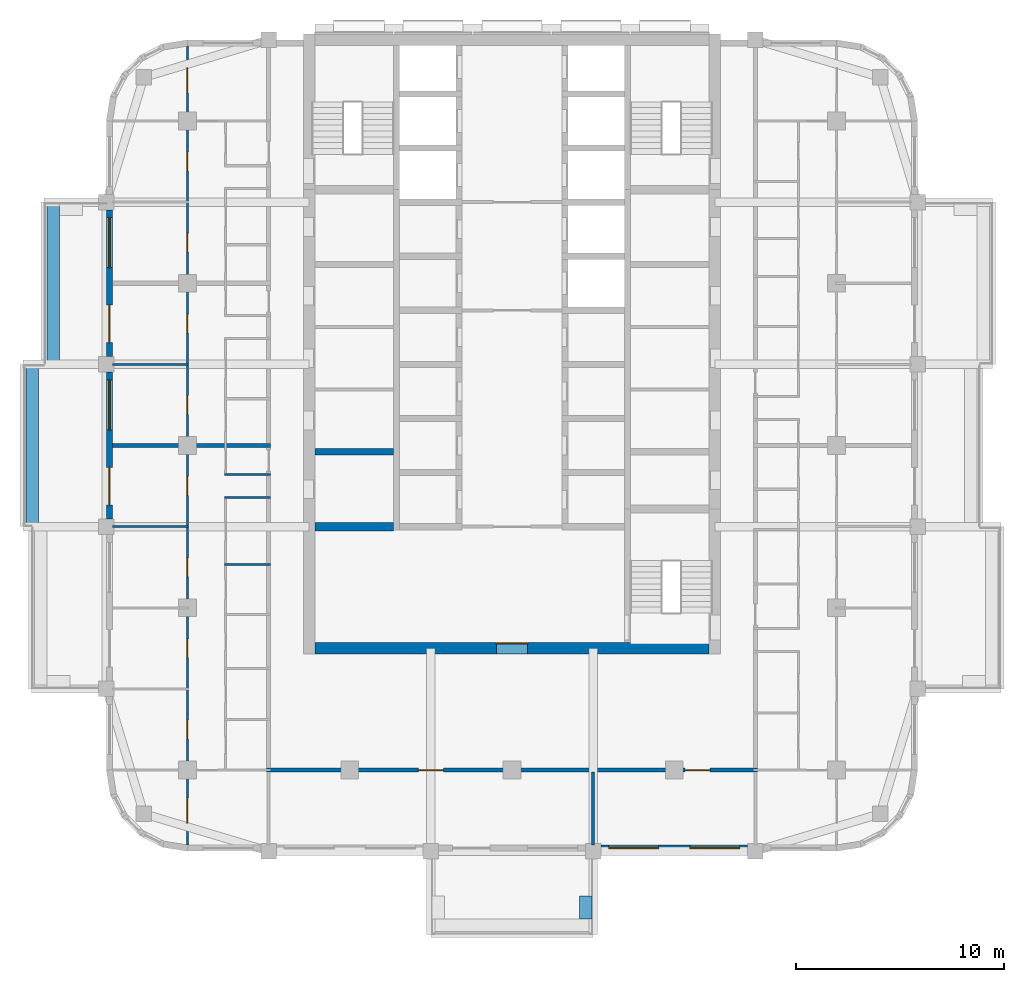
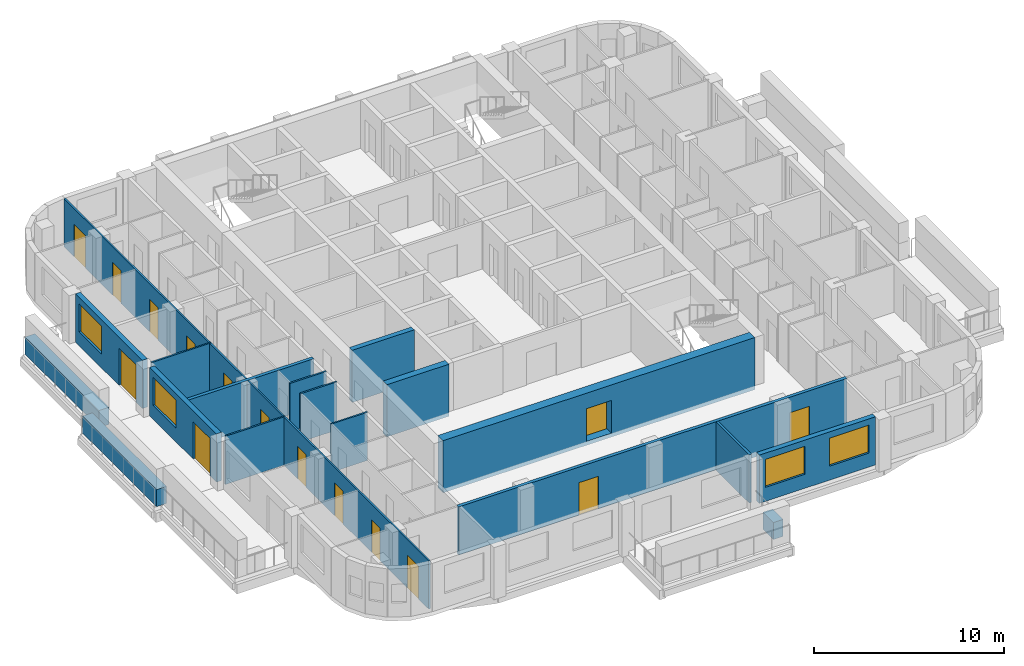
# One storey, part 3 of 13: 18 walls, 15 doors, 4 windows, 19 openings.
"""IFC4 building model written with IfcOpenShell, lengths in metres."""

from ifc_helpers import new_model, si_unit, direction, frame, frame_2d, origin, place, context, subcontext, project, spatial, rectangle, extrude, material, layer, layer_set, type_object, element, fill, save


model = new_model("IFC4")

# Units and contexts
model_context = context("Model", 3, precision=1e-05, world=origin(), true_north=direction((0.0, 1.0)))
body_context = subcontext(model_context, "Body", "Model", "MODEL_VIEW")
ifc_project = project(units=[si_unit("LENGTHUNIT", "METRE"), si_unit("AREAUNIT", "SQUARE_METRE"), si_unit("VOLUMEUNIT", "CUBIC_METRE"), si_unit("PLANEANGLEUNIT", "RADIAN"), si_unit("MASSUNIT", "GRAM", prefix="KILO")], contexts=[model_context])

# Site, building, storey
site_placement = place(None, origin())
site = spatial("IfcSite", under=ifc_project, at=site_placement, CompositionType="ELEMENT")
building_placement = place(site_placement, origin())
building = spatial("IfcBuilding", under=site, at=building_placement, Name="Ludao Terraces", CompositionType="ELEMENT")
storey_placement = place(building_placement, frame((0.0, 0.0, 169.0)))
storey = spatial("IfcBuildingStorey", under=building, at=storey_placement, Name="L46", CompositionType="ELEMENT", Elevation=169.0)

# Wall, opening, door
ifc_material_1 = material(Name="Concrete C60", Category="concrete")
ifc_layer_1 = layer(ifc_material_1, 0.550048828125)
ifc_layer_set_1 = layer_set([ifc_layer_1], Name="Core wall 550 C60")
wall_type_1 = type_object("IfcWallType", Name="Core wall 550 C60", PredefinedType="SOLIDWALL", material=ifc_layer_set_1)
wall_1_placement = place(storey_placement, frame((75.52490234375, 55.25, -0.25), z_axis=(0.0, 0.0, 1.0), x_axis=(1.0, 0.0, 0.0)))
wall_1 = element("IfcWall", 1, at=wall_1_placement, inside=storey, type_object=wall_type_1, Name="Core wall L46 outer-S", PredefinedType="SOLIDWALL", context=body_context, shape_type="SweptSolid", body=[
    extrude(rectangle(XDim=18.9501953125, YDim=0.550048828125, at=frame_2d((9.47509765625, 0.0))), origin(), (0.0, 0.0, 1.0), 3.35009765625),
])
opening_1_placement = place(wall_1_placement, frame((8.72509765625, 0.0, 0.25)))
opening_1 = element("IfcOpeningElement", 2, at=opening_1_placement, cuts=wall_1, Name="Opening R16-014", PredefinedType="OPENING", context=body_context, shape_type="SweptSolid", body=[
    extrude(rectangle(XDim=1.5, YDim=2.10009765625, at=frame_2d((0.75, 1.050048828125))), frame((0.0, 0.28515625, 0.0), z_axis=(0.0, -1.0, 0.0), x_axis=(1.0, 0.0, 0.0)), (0.0, 0.0, 1.0), 0.570068359375),
])
ifc_material_2 = material(Name="Steel Q235", Category="steel")
door_type_1 = type_object("IfcDoorType", Name="INT Lobby door 1500", OperationType="DOUBLE_DOOR_SINGLE_SWING", PredefinedType="DOOR", material=ifc_material_2)
door_1_placement = place(opening_1_placement, origin())
door_1 = element("IfcDoor", 3, at=door_1_placement, inside=storey, type_object=door_type_1, Name="DOOR 014", OperationType="DOUBLE_DOOR_SINGLE_SWING", OverallHeight=2.10009765625, OverallWidth=1.5, PredefinedType="DOOR", context=body_context, shape_type="SweptSolid", body=[
    extrude(rectangle(XDim=1.5, YDim=2.10009765625, at=frame_2d((0.75, 1.050048828125))), frame((0.0, 0.26025390625, 0.0), z_axis=(0.0, -1.0, 0.0), x_axis=(1.0, 0.0, 0.0)), (0.0, 0.0, 1.0), 0.050048828125),
])
fill(opening_1, door_1)

# Walls
ifc_material_3 = material(Name="Concrete C40", Category="concrete")
ifc_layer_2 = layer(ifc_material_3, 0.60009765625)
ifc_layer_set_2 = layer_set([ifc_layer_2], Name="ENV Planter trough 600")
wall_type_2 = type_object("IfcWallType", Name="ENV Planter trough 600", PredefinedType="USERDEFINED", material=ifc_layer_set_2)
wall_2_placement = place(storey_placement, frame((88.550048828125, 42.25, 0.0), z_axis=(0.0, 0.0, 1.0), x_axis=(0.0, 1.0, 0.0)))
element("IfcWall", 4, at=wall_2_placement, inside=storey, type_object=wall_type_2, Name="PL-L46-S1-SB", ObjectType="PLANTER", PredefinedType="USERDEFINED", context=body_context, shape_type="SweptSolid", body=[
    extrude(rectangle(XDim=1.10009765625, YDim=0.60009765625, at=frame_2d((0.550048828125, 0.0))), origin(), (0.0, 0.0, 1.0), 1.10009765625),
])
wall_3_placement = place(storey_placement, frame((61.949951171875, 61.10009765625, 0.0), z_axis=(0.0, 0.0, 1.0), x_axis=(0.0, 1.0, 0.0)))
element("IfcWall", 5, at=wall_3_placement, inside=storey, type_object=wall_type_2, Name="PL-L46-W2", ObjectType="PLANTER", PredefinedType="USERDEFINED", context=body_context, shape_type="SweptSolid", body=[
    extrude(rectangle(XDim=7.7998046875, YDim=0.60009765625, at=frame_2d((3.89990234375, 0.0))), origin(), (0.0, 0.0, 1.0), 1.10009765625),
])
wall_4_placement = place(storey_placement, frame((62.949951171875, 68.89990234375, 0.0), z_axis=(0.0, 0.0, 1.0), x_axis=(0.0, 1.0, 0.0)))
element("IfcWall", 6, at=wall_4_placement, inside=storey, type_object=wall_type_2, Name="PL-L46-W3", ObjectType="PLANTER", PredefinedType="USERDEFINED", context=body_context, shape_type="SweptSolid", body=[
    extrude(rectangle(XDim=7.800048828125, YDim=0.60009765625, at=frame_2d((3.89990234375, 0.0))), origin(), (0.0, 0.0, 1.0), 1.10009765625),
])

# Wall, openings, windows
ifc_material_4 = material(Name="Granite cladding", Category="masonry")
ifc_layer_3 = layer(ifc_material_4, 0.0400390625, Category="stone")
ifc_material_5 = material(Name="Mineral wool")
ifc_layer_4 = layer(ifc_material_5, 0.06005859375)
ifc_layer_5 = layer(ifc_material_3, 0.199951171875, Category="concrete")
ifc_layer_set_3 = layer_set([ifc_layer_3, ifc_layer_4, ifc_layer_5], Name="ENV Stone-clad wall 300")
wall_type_3 = type_object("IfcWallType", Name="ENV Stone-clad wall 300", PredefinedType="SOLIDWALL", material=ifc_layer_set_3)
wall_5_placement = place(storey_placement, frame((89.27490234375, 45.64990234375, 0.0), z_axis=(0.0, 0.0, 1.0), x_axis=(1.0, 0.0, 0.0)))
wall_5 = element("IfcWall", 7, at=wall_5_placement, inside=storey, type_object=wall_type_3, Name="EW-L46-S4", PredefinedType="SOLIDWALL", context=body_context, shape_type="SweptSolid", body=[
    extrude(rectangle(XDim=7.050048828125, YDim=0.300048828125, at=frame_2d((3.52490234375, 0.0))), origin(), (0.0, 0.0, 1.0), 3.10009765625),
])
opening_2_placement = place(wall_5_placement, frame((0.375, 0.0, 0.89990234375)))
opening_2 = element("IfcOpeningElement", 8, at=opening_2_placement, cuts=wall_5, Name="Opening W1", PredefinedType="OPENING", context=body_context, shape_type="SweptSolid", body=[
    extrude(rectangle(XDim=2.39990234375, YDim=1.800048828125, at=frame_2d((1.199951171875, 0.89990234375))), frame((0.0, 0.16015625, 0.0), z_axis=(0.0, -1.0, 0.0), x_axis=(1.0, 0.0, 0.0)), (0.0, 0.0, 1.0), 0.320068359375),
])
opening_3_placement = place(wall_5_placement, frame((4.27490234375, 0.0, 0.89990234375)))
opening_3 = element("IfcOpeningElement", 9, at=opening_3_placement, cuts=wall_5, Name="Opening W1", PredefinedType="OPENING", context=body_context, shape_type="SweptSolid", body=[
    extrude(rectangle(XDim=2.39990234375, YDim=1.800048828125, at=frame_2d((1.199951171875, 0.89990234375))), frame((0.0, 0.16015625, 0.0), z_axis=(0.0, -1.0, 0.0), x_axis=(1.0, 0.0, 0.0)), (0.0, 0.0, 1.0), 0.320068359375),
])
ifc_material_6 = material(Name="Clear glass in aluminium frame", Category="aluminium")
ifc_layer_6 = layer(ifc_material_6, 0.06005859375)
ifc_layer_set_4 = layer_set([ifc_layer_6], Name="ENV Window W1 2400x1800")
window_type = type_object("IfcWindowType", Name="ENV Window W1 2400x1800", PartitioningType="DOUBLE_PANEL_VERTICAL", PredefinedType="WINDOW", material=ifc_layer_set_4)
window_1_placement = place(opening_2_placement, origin())
window_1 = element("IfcWindow", 10, at=window_1_placement, inside=storey, type_object=window_type, Name="W-L46-S4-1", OverallHeight=1.800048828125, OverallWidth=2.39990234375, PartitioningType="DOUBLE_PANEL_VERTICAL", PredefinedType="WINDOW", context=body_context, shape_type="SweptSolid", body=[
    extrude(rectangle(XDim=2.39990234375, YDim=1.800048828125, at=frame_2d((1.199951171875, 0.89990234375))), frame((0.0, 0.030029296875, 0.0), z_axis=(0.0, -1.0, 0.0), x_axis=(1.0, 0.0, 0.0)), (0.0, 0.0, 1.0), 0.06005859375),
])
fill(opening_2, window_1)
window_2_placement = place(opening_3_placement, origin())
window_2 = element("IfcWindow", 11, at=window_2_placement, inside=storey, type_object=window_type, Name="W-L46-S4-2", OverallHeight=1.800048828125, OverallWidth=2.39990234375, PartitioningType="DOUBLE_PANEL_VERTICAL", PredefinedType="WINDOW", context=body_context, shape_type="SweptSolid", body=[
    extrude(rectangle(XDim=2.39990234375, YDim=1.800048828125, at=frame_2d((1.199951171875, 0.89990234375))), frame((0.0, 0.030029296875, 0.0), z_axis=(0.0, -1.0, 0.0), x_axis=(1.0, 0.0, 0.0)), (0.0, 0.0, 1.0), 0.06005859375),
])
fill(opening_3, window_2)

# Wall, openings, door, window
wall_6_placement = place(storey_placement, frame((65.64990234375, 61.47509765625, 0.0), z_axis=(0.0, 0.0, 1.0), x_axis=(0.0, 1.0, 0.0)))
wall_6 = element("IfcWall", 12, at=wall_6_placement, inside=storey, type_object=wall_type_3, Name="EW-L46-W3", PredefinedType="SOLIDWALL", context=body_context, shape_type="SweptSolid", body=[
    extrude(rectangle(XDim=7.0498046875, YDim=0.300048828125, at=frame_2d((3.52490234375, 0.0))), origin(), (0.0, 0.0, 1.0), 3.10009765625),
])
opening_4_placement = place(wall_6_placement, frame((0.675048828125, 0.0, 0.0)))
opening_4 = element("IfcOpeningElement", 13, at=opening_4_placement, cuts=wall_6, Name="Opening BD", PredefinedType="OPENING", context=body_context, shape_type="SweptSolid", body=[
    extrude(rectangle(XDim=1.800048828125, YDim=2.39990234375, at=frame_2d((0.89990234375, 1.199951171875))), frame((0.0, 0.16015625, 0.0), z_axis=(0.0, -1.0, 0.0), x_axis=(1.0, 0.0, 0.0)), (0.0, 0.0, 1.0), 0.320068359375),
])
opening_5_placement = place(wall_6_placement, frame((4.27490234375, 0.0, 0.89990234375)))
opening_5 = element("IfcOpeningElement", 14, at=opening_5_placement, cuts=wall_6, Name="Opening W1", PredefinedType="OPENING", context=body_context, shape_type="SweptSolid", body=[
    extrude(rectangle(XDim=2.39990234375, YDim=1.800048828125, at=frame_2d((1.199951171875, 0.89990234375))), frame((0.0, 0.16015625, 0.0), z_axis=(0.0, -1.0, 0.0), x_axis=(1.0, 0.0, 0.0)), (0.0, 0.0, 1.0), 0.320068359375),
])
ifc_material_7 = material(Name="Aluminium glazed door", Category="aluminium")
ifc_layer_7 = layer(ifc_material_7, 0.06005859375)
ifc_layer_set_5 = layer_set([ifc_layer_7], Name="ENV Balcony door BD 1800x2400")
door_type_2 = type_object("IfcDoorType", Name="ENV Balcony door BD 1800x2400", OperationType="DOUBLE_DOOR_SINGLE_SWING", PredefinedType="DOOR", material=ifc_layer_set_5)
door_2_placement = place(opening_4_placement, origin())
door_2 = element("IfcDoor", 15, at=door_2_placement, inside=storey, type_object=door_type_2, Name="BD-L46-W3-1", OperationType="DOUBLE_DOOR_SINGLE_SWING", OverallHeight=2.39990234375, OverallWidth=1.800048828125, PredefinedType="DOOR", context=body_context, shape_type="SweptSolid", body=[
    extrude(rectangle(XDim=1.800048828125, YDim=2.39990234375, at=frame_2d((0.89990234375, 1.199951171875))), frame((0.0, 0.02490234375, 0.0), z_axis=(0.0, -1.0, 0.0), x_axis=(1.0, 0.0, 0.0)), (0.0, 0.0, 1.0), 0.050048828125),
])
fill(opening_4, door_2)
window_3_placement = place(opening_5_placement, origin())
window_3 = element("IfcWindow", 16, at=window_3_placement, inside=storey, type_object=window_type, Name="W-L46-W3-2", OverallHeight=1.800048828125, OverallWidth=2.39990234375, PartitioningType="DOUBLE_PANEL_VERTICAL", PredefinedType="WINDOW", context=body_context, shape_type="SweptSolid", body=[
    extrude(rectangle(XDim=2.39990234375, YDim=1.800048828125, at=frame_2d((1.199951171875, 0.89990234375))), frame((0.0, 0.030029296875, 0.0), z_axis=(0.0, -1.0, 0.0), x_axis=(1.0, 0.0, 0.0)), (0.0, 0.0, 1.0), 0.06005859375),
])
fill(opening_5, window_3)

wall_7_placement = place(storey_placement, frame((65.64990234375, 69.27490234375, 0.0), z_axis=(0.0, 0.0, 1.0), x_axis=(0.0, 1.0, 0.0)))
wall_7 = element("IfcWall", 17, at=wall_7_placement, inside=storey, type_object=wall_type_3, Name="EW-L46-W4", PredefinedType="SOLIDWALL", context=body_context, shape_type="SweptSolid", body=[
    extrude(rectangle(XDim=7.050048828125, YDim=0.300048828125, at=frame_2d((3.52490234375, 0.0))), origin(), (0.0, 0.0, 1.0), 3.10009765625),
])
opening_6_placement = place(wall_7_placement, frame((0.675048828125, 0.0, 0.0)))
opening_6 = element("IfcOpeningElement", 18, at=opening_6_placement, cuts=wall_7, Name="Opening BD", PredefinedType="OPENING", context=body_context, shape_type="SweptSolid", body=[
    extrude(rectangle(XDim=1.800048828125, YDim=2.39990234375, at=frame_2d((0.89990234375, 1.199951171875))), frame((0.0, 0.16015625, 0.0), z_axis=(0.0, -1.0, 0.0), x_axis=(1.0, 0.0, 0.0)), (0.0, 0.0, 1.0), 0.320068359375),
])
opening_7_placement = place(wall_7_placement, frame((4.27490234375, 0.0, 0.89990234375)))
opening_7 = element("IfcOpeningElement", 19, at=opening_7_placement, cuts=wall_7, Name="Opening W1", PredefinedType="OPENING", context=body_context, shape_type="SweptSolid", body=[
    extrude(rectangle(XDim=2.39990234375, YDim=1.800048828125, at=frame_2d((1.199951171875, 0.89990234375))), frame((0.0, 0.16015625, 0.0), z_axis=(0.0, -1.0, 0.0), x_axis=(1.0, 0.0, 0.0)), (0.0, 0.0, 1.0), 0.320068359375),
])
door_3_placement = place(opening_6_placement, origin())
door_3 = element("IfcDoor", 20, at=door_3_placement, inside=storey, type_object=door_type_2, Name="BD-L46-W4-1", OperationType="DOUBLE_DOOR_SINGLE_SWING", OverallHeight=2.39990234375, OverallWidth=1.800048828125, PredefinedType="DOOR", context=body_context, shape_type="SweptSolid", body=[
    extrude(rectangle(XDim=1.800048828125, YDim=2.39990234375, at=frame_2d((0.89990234375, 1.199951171875))), frame((0.0, 0.02490234375, 0.0), z_axis=(0.0, -1.0, 0.0), x_axis=(1.0, 0.0, 0.0)), (0.0, 0.0, 1.0), 0.050048828125),
])
fill(opening_6, door_3)
window_4_placement = place(opening_7_placement, origin())
window_4 = element("IfcWindow", 21, at=window_4_placement, inside=storey, type_object=window_type, Name="W-L46-W4-2", OverallHeight=1.800048828125, OverallWidth=2.39990234375, PartitioningType="DOUBLE_PANEL_VERTICAL", PredefinedType="WINDOW", context=body_context, shape_type="SweptSolid", body=[
    extrude(rectangle(XDim=2.39990234375, YDim=1.800048828125, at=frame_2d((1.199951171875, 0.89990234375))), frame((0.0, 0.030029296875, 0.0), z_axis=(0.0, -1.0, 0.0), x_axis=(1.0, 0.0, 0.0)), (0.0, 0.0, 1.0), 0.06005859375),
])
fill(opening_7, window_4)

# Wall, openings, doors
ifc_material_8 = material(Name="Autoclaved aerated concrete block B06 A3.5", Category="concrete")
ifc_layer_8 = layer(ifc_material_8, 0.199951171875)
ifc_layer_set_6 = layer_set([ifc_layer_8], Name="INT Entrance wall 200")
wall_type_4 = type_object("IfcWallType", Name="INT Entrance wall 200", PredefinedType="PARTITIONING", material=ifc_layer_set_6)
wall_8_placement = place(storey_placement, frame((73.2001953125, 49.39990234375, 0.0), z_axis=(0.0, 0.0, 1.0), x_axis=(1.0, 0.0, 0.0)))
wall_8 = element("IfcWall", 22, at=wall_8_placement, inside=storey, type_object=wall_type_4, Name="PW-L46-PW001", PredefinedType="PARTITIONING", context=body_context, shape_type="SweptSolid", body=[
    extrude(rectangle(XDim=23.599853515625, YDim=0.199951171875, at=frame_2d((11.7998046875, 0.0))), origin(), (0.0, 0.0, 1.0), 3.10009765625),
])
opening_8_placement = place(wall_8_placement, frame((7.2998046875, 0.0, 0.0)))
opening_8 = element("IfcOpeningElement", 23, at=opening_8_placement, cuts=wall_8, Name="Opening R16-004", PredefinedType="OPENING", context=body_context, shape_type="SweptSolid", body=[
    extrude(rectangle(XDim=1.199951171875, YDim=2.10009765625, at=frame_2d((0.60009765625, 1.050048828125))), frame((0.0, 0.10986328125, 0.0), z_axis=(0.0, -1.0, 0.0), x_axis=(1.0, 0.0, 0.0)), (0.0, 0.0, 1.0), 0.219970703125),
])
opening_9_placement = place(wall_8_placement, frame((20.125, 0.0, 0.0)))
opening_9 = element("IfcOpeningElement", 24, at=opening_9_placement, cuts=wall_8, Name="Opening R16-005", PredefinedType="OPENING", context=body_context, shape_type="SweptSolid", body=[
    extrude(rectangle(XDim=1.199951171875, YDim=2.10009765625, at=frame_2d((0.60009765625, 1.050048828125))), frame((0.0, 0.10986328125, 0.0), z_axis=(0.0, -1.0, 0.0), x_axis=(1.0, 0.0, 0.0)), (0.0, 0.0, 1.0), 0.219970703125),
])
ifc_material_9 = material(Name="Timber door leaf", Category="wood")
door_type_3 = type_object("IfcDoorType", Name="INT Double door 1200", OperationType="DOUBLE_DOOR_SINGLE_SWING", PredefinedType="DOOR", material=ifc_material_9)
door_4_placement = place(opening_8_placement, origin())
door_4 = element("IfcDoor", 25, at=door_4_placement, inside=storey, type_object=door_type_3, Name="DOOR 004", OperationType="DOUBLE_DOOR_SINGLE_SWING", OverallHeight=2.10009765625, OverallWidth=1.199951171875, PredefinedType="DOOR", context=body_context, shape_type="SweptSolid", body=[
    extrude(rectangle(XDim=1.199951171875, YDim=2.10009765625, at=frame_2d((0.60009765625, 1.050048828125))), frame((0.0, 0.02490234375, 0.0), z_axis=(0.0, -1.0, 0.0), x_axis=(1.0, 0.0, 0.0)), (0.0, 0.0, 1.0), 0.050048828125),
])
fill(opening_8, door_4)
door_5_placement = place(opening_9_placement, origin())
door_5 = element("IfcDoor", 26, at=door_5_placement, inside=storey, type_object=door_type_3, Name="DOOR 005", OperationType="DOUBLE_DOOR_SINGLE_SWING", OverallHeight=2.10009765625, OverallWidth=1.199951171875, PredefinedType="DOOR", context=body_context, shape_type="SweptSolid", body=[
    extrude(rectangle(XDim=1.199951171875, YDim=2.10009765625, at=frame_2d((0.60009765625, 1.050048828125))), frame((0.0, 0.02490234375, 0.0), z_axis=(0.0, -1.0, 0.0), x_axis=(1.0, 0.0, 0.0)), (0.0, 0.0, 1.0), 0.050048828125),
])
fill(opening_9, door_5)

# Walls
ifc_material_10 = material(Name="Gypsum plasterboard", Category="gypsum")
ifc_layer_9 = layer(ifc_material_10, 0.012451171875, Category="gypsum")
ifc_layer_10 = layer(ifc_material_5, 0.06005859375, Name="insulation")
ifc_layer_11 = layer(ifc_material_2, 0.014892578125, Name="stud")
ifc_layer_12 = layer(ifc_material_10, 0.012451171875, Category="gypsum")
ifc_layer_set_7 = layer_set([ifc_layer_9, ifc_layer_10, ifc_layer_11, ifc_layer_12], Name="INT Partition 100")
wall_type_5 = type_object("IfcWallType", Name="INT Partition 100", PredefinedType="PARTITIONING", material=ifc_layer_set_7)
wall_9_placement = place(storey_placement, frame((71.18017578125, 59.280029296875, 0.0), z_axis=(0.0, 0.0, 1.0), x_axis=(1.0, 0.0, 0.0)))
element("IfcWall", 27, at=wall_9_placement, inside=storey, type_object=wall_type_5, Name="PW-L46-PW013", PredefinedType="PARTITIONING", context=body_context, shape_type="SweptSolid", body=[
    extrude(rectangle(XDim=2.219970703125, YDim=0.10009765625, at=frame_2d((1.10986328125, 0.0))), origin(), (0.0, 0.0, 1.0), 3.10009765625),
])
wall_10_placement = place(storey_placement, frame((65.800048828125, 61.10009765625, 0.0), z_axis=(0.0, 0.0, 1.0), x_axis=(1.0, 0.0, 0.0)))
element("IfcWall", 28, at=wall_10_placement, inside=storey, type_object=wall_type_5, Name="PW-L46-PW015", PredefinedType="PARTITIONING", context=body_context, shape_type="SweptSolid", body=[
    extrude(rectangle(XDim=3.650146484375, YDim=0.10009765625, at=frame_2d((1.8251953125, 0.0))), origin(), (0.0, 0.0, 1.0), 3.10009765625),
])
for number, where, z_axis, x_axis, name in (
    (29, (71.18017578125, 62.5, 0.0), (0.0, 0.0, 1.0), (1.0, 0.0, 0.0), "PW-L46-PW018"),
    (30, (71.18017578125, 63.60009765625, 0.0), (0.0, 0.0, 1.0), (1.0, 0.0, 0.0), "PW-L46-PW020"),
):
    element("IfcWall", number, at=place(storey_placement, frame(where, z_axis=z_axis, x_axis=x_axis)), inside=storey, type_object=wall_type_5, Name=name, PredefinedType="PARTITIONING", context=body_context, shape_type="SweptSolid", body=[
        extrude(rectangle(XDim=2.219970703125, YDim=0.10009765625, at=frame_2d((1.10986328125, 0.0))), origin(), (0.0, 0.0, 1.0), 3.10009765625),
    ])
wall_11_placement = place(storey_placement, frame((65.800048828125, 68.89990234375, 0.0), z_axis=(0.0, 0.0, 1.0), x_axis=(1.0, 0.0, 0.0)))
element("IfcWall", 31, at=wall_11_placement, inside=storey, type_object=wall_type_5, Name="PW-L46-PW028", PredefinedType="PARTITIONING", context=body_context, shape_type="SweptSolid", body=[
    extrude(rectangle(XDim=3.650146484375, YDim=0.10009765625, at=frame_2d((1.8251953125, 0.0))), origin(), (0.0, 0.0, 1.0), 3.10009765625),
])

# Wall, openings, doors
wall_12_placement = place(storey_placement, frame((69.39990234375, 45.800048828125, 0.0), z_axis=(0.0, 0.0, 1.0), x_axis=(0.0, 1.0, 0.0)))
wall_12 = element("IfcWall", 32, at=wall_12_placement, inside=storey, type_object=wall_type_5, Name="PW-L46-PW049", PredefinedType="PARTITIONING", context=body_context, shape_type="SweptSolid", body=[
    extrude(rectangle(XDim=38.400146484375, YDim=0.10009765625, at=frame_2d((19.2001953125, 0.0))), origin(), (0.0, 0.0, 1.0), 3.10009765625),
])
opening_10_placement = place(wall_12_placement, frame((1.050048828125, 0.0, 0.0)))
opening_10 = element("IfcOpeningElement", 33, at=opening_10_placement, cuts=wall_12, Name="Opening R16-001", PredefinedType="OPENING", context=body_context, shape_type="SweptSolid", body=[
    extrude(rectangle(XDim=1.199951171875, YDim=2.10009765625, at=frame_2d((0.60009765625, 1.050048828125))), frame((0.0, 0.06005859375, 0.0), z_axis=(0.0, -1.0, 0.0), x_axis=(1.0, 0.0, 0.0)), (0.0, 0.0, 1.0), 0.1201171875),
])
opening_11_placement = place(wall_12_placement, frame((5.10009765625, 0.0, 0.0)))
opening_11 = element("IfcOpeningElement", 34, at=opening_11_placement, cuts=wall_12, Name="Opening R16-009", PredefinedType="OPENING", context=body_context, shape_type="SweptSolid", body=[
    extrude(rectangle(XDim=0.89990234375, YDim=2.10009765625, at=frame_2d((0.449951171875, 1.050048828125))), frame((0.0, 0.06005859375, 0.0), z_axis=(0.0, -1.0, 0.0), x_axis=(1.0, 0.0, 0.0)), (0.0, 0.0, 1.0), 0.1201171875),
])
opening_12_placement = place(wall_12_placement, frame((9.0, 0.0, 0.0)))
opening_12 = element("IfcOpeningElement", 35, at=opening_12_placement, cuts=wall_12, Name="Opening R16-013", PredefinedType="OPENING", context=body_context, shape_type="SweptSolid", body=[
    extrude(rectangle(XDim=0.89990234375, YDim=2.10009765625, at=frame_2d((0.449951171875, 1.050048828125))), frame((0.0, 0.06005859375, 0.0), z_axis=(0.0, -1.0, 0.0), x_axis=(1.0, 0.0, 0.0)), (0.0, 0.0, 1.0), 0.1201171875),
])
opening_13_placement = place(wall_12_placement, frame((12.89990234375, 0.0, 0.0)))
opening_13 = element("IfcOpeningElement", 36, at=opening_13_placement, cuts=wall_12, Name="Opening R16-021", PredefinedType="OPENING", context=body_context, shape_type="SweptSolid", body=[
    extrude(rectangle(XDim=0.89990234375, YDim=2.10009765625, at=frame_2d((0.449951171875, 1.050048828125))), frame((0.0, 0.06005859375, 0.0), z_axis=(0.0, -1.0, 0.0), x_axis=(1.0, 0.0, 0.0)), (0.0, 0.0, 1.0), 0.1201171875),
])
opening_14_placement = place(wall_12_placement, frame((16.800048828125, 0.0, 0.0)))
opening_14 = element("IfcOpeningElement", 37, at=opening_14_placement, cuts=wall_12, Name="Opening R16-030", PredefinedType="OPENING", context=body_context, shape_type="SweptSolid", body=[
    extrude(rectangle(XDim=0.89990234375, YDim=2.10009765625, at=frame_2d((0.449951171875, 1.050048828125))), frame((0.0, 0.06005859375, 0.0), z_axis=(0.0, -1.0, 0.0), x_axis=(1.0, 0.0, 0.0)), (0.0, 0.0, 1.0), 0.1201171875),
])
opening_15_placement = place(wall_12_placement, frame((20.699951171875, 0.0, 0.0)))
opening_15 = element("IfcOpeningElement", 38, at=opening_15_placement, cuts=wall_12, Name="Opening R16-042", PredefinedType="OPENING", context=body_context, shape_type="SweptSolid", body=[
    extrude(rectangle(XDim=0.89990234375, YDim=2.10009765625, at=frame_2d((0.449951171875, 1.050048828125))), frame((0.0, 0.06005859375, 0.0), z_axis=(0.0, -1.0, 0.0), x_axis=(1.0, 0.0, 0.0)), (0.0, 0.0, 1.0), 0.1201171875),
])
opening_16_placement = place(wall_12_placement, frame((24.60009765625, 0.0, 0.0)))
opening_16 = element("IfcOpeningElement", 39, at=opening_16_placement, cuts=wall_12, Name="Opening R16-053", PredefinedType="OPENING", context=body_context, shape_type="SweptSolid", body=[
    extrude(rectangle(XDim=0.89990234375, YDim=2.10009765625, at=frame_2d((0.449951171875, 1.050048828125))), frame((0.0, 0.06005859375, 0.0), z_axis=(0.0, -1.0, 0.0), x_axis=(1.0, 0.0, 0.0)), (0.0, 0.0, 1.0), 0.1201171875),
])
opening_17_placement = place(wall_12_placement, frame((28.5, 0.0, 0.0)))
opening_17 = element("IfcOpeningElement", 40, at=opening_17_placement, cuts=wall_12, Name="Opening R16-065", PredefinedType="OPENING", context=body_context, shape_type="SweptSolid", body=[
    extrude(rectangle(XDim=0.89990234375, YDim=2.10009765625, at=frame_2d((0.449951171875, 1.050048828125))), frame((0.0, 0.06005859375, 0.0), z_axis=(0.0, -1.0, 0.0), x_axis=(1.0, 0.0, 0.0)), (0.0, 0.0, 1.0), 0.1201171875),
])
opening_18_placement = place(wall_12_placement, frame((32.39990234375, 0.0, 0.0)))
opening_18 = element("IfcOpeningElement", 41, at=opening_18_placement, cuts=wall_12, Name="Opening R16-078", PredefinedType="OPENING", context=body_context, shape_type="SweptSolid", body=[
    extrude(rectangle(XDim=0.89990234375, YDim=2.10009765625, at=frame_2d((0.449951171875, 1.050048828125))), frame((0.0, 0.06005859375, 0.0), z_axis=(0.0, -1.0, 0.0), x_axis=(1.0, 0.0, 0.0)), (0.0, 0.0, 1.0), 0.1201171875),
])
opening_19_placement = place(wall_12_placement, frame((36.14990234375, 0.0, 0.0)))
opening_19 = element("IfcOpeningElement", 42, at=opening_19_placement, cuts=wall_12, Name="Opening R16-087", PredefinedType="OPENING", context=body_context, shape_type="SweptSolid", body=[
    extrude(rectangle(XDim=1.199951171875, YDim=2.10009765625, at=frame_2d((0.60009765625, 1.050048828125))), frame((0.0, 0.06005859375, 0.0), z_axis=(0.0, -1.0, 0.0), x_axis=(1.0, 0.0, 0.0)), (0.0, 0.0, 1.0), 0.1201171875),
])
door_6_placement = place(opening_10_placement, origin())
door_6 = element("IfcDoor", 43, at=door_6_placement, inside=storey, type_object=door_type_3, Name="DOOR 001", OperationType="DOUBLE_DOOR_SINGLE_SWING", OverallHeight=2.10009765625, OverallWidth=1.199951171875, PredefinedType="DOOR", context=body_context, shape_type="SweptSolid", body=[
    extrude(rectangle(XDim=1.199951171875, YDim=2.10009765625, at=frame_2d((0.60009765625, 1.050048828125))), frame((0.0, 0.02490234375, 0.0), z_axis=(0.0, -1.0, 0.0), x_axis=(1.0, 0.0, 0.0)), (0.0, 0.0, 1.0), 0.050048828125),
])
fill(opening_10, door_6)
door_7_placement = place(opening_19_placement, origin())
door_7 = element("IfcDoor", 44, at=door_7_placement, inside=storey, type_object=door_type_3, Name="DOOR 087", OperationType="DOUBLE_DOOR_SINGLE_SWING", OverallHeight=2.10009765625, OverallWidth=1.199951171875, PredefinedType="DOOR", context=body_context, shape_type="SweptSolid", body=[
    extrude(rectangle(XDim=1.199951171875, YDim=2.10009765625, at=frame_2d((0.60009765625, 1.050048828125))), frame((0.0, 0.02490234375, 0.0), z_axis=(0.0, -1.0, 0.0), x_axis=(1.0, 0.0, 0.0)), (0.0, 0.0, 1.0), 0.050048828125),
])
fill(opening_19, door_7)
door_type_4 = type_object("IfcDoorType", Name="INT Room door 900", OperationType="SINGLE_SWING_LEFT", PredefinedType="DOOR", material=ifc_material_9)
door_8_placement = place(opening_11_placement, origin())
door_8 = element("IfcDoor", 45, at=door_8_placement, inside=storey, type_object=door_type_4, Name="DOOR 009", OperationType="SINGLE_SWING_RIGHT", OverallHeight=2.10009765625, OverallWidth=0.89990234375, PredefinedType="DOOR", context=body_context, shape_type="SweptSolid", body=[
    extrude(rectangle(XDim=0.89990234375, YDim=2.10009765625, at=frame_2d((0.449951171875, 1.050048828125))), frame((0.0, 0.02490234375, 0.0), z_axis=(0.0, -1.0, 0.0), x_axis=(1.0, 0.0, 0.0)), (0.0, 0.0, 1.0), 0.050048828125),
])
fill(opening_11, door_8)
door_9_placement = place(opening_12_placement, origin())
door_9 = element("IfcDoor", 46, at=door_9_placement, inside=storey, type_object=door_type_4, Name="DOOR 013", OperationType="SINGLE_SWING_LEFT", OverallHeight=2.10009765625, OverallWidth=0.89990234375, PredefinedType="DOOR", context=body_context, shape_type="SweptSolid", body=[
    extrude(rectangle(XDim=0.89990234375, YDim=2.10009765625, at=frame_2d((0.449951171875, 1.050048828125))), frame((0.0, 0.02490234375, 0.0), z_axis=(0.0, -1.0, 0.0), x_axis=(1.0, 0.0, 0.0)), (0.0, 0.0, 1.0), 0.050048828125),
])
fill(opening_12, door_9)
door_10_placement = place(opening_13_placement, origin())
door_10 = element("IfcDoor", 47, at=door_10_placement, inside=storey, type_object=door_type_4, Name="DOOR 021", OperationType="SINGLE_SWING_RIGHT", OverallHeight=2.10009765625, OverallWidth=0.89990234375, PredefinedType="DOOR", context=body_context, shape_type="SweptSolid", body=[
    extrude(rectangle(XDim=0.89990234375, YDim=2.10009765625, at=frame_2d((0.449951171875, 1.050048828125))), frame((0.0, 0.02490234375, 0.0), z_axis=(0.0, -1.0, 0.0), x_axis=(1.0, 0.0, 0.0)), (0.0, 0.0, 1.0), 0.050048828125),
])
fill(opening_13, door_10)
door_11_placement = place(opening_14_placement, origin())
door_11 = element("IfcDoor", 48, at=door_11_placement, inside=storey, type_object=door_type_4, Name="DOOR 030", OperationType="SINGLE_SWING_RIGHT", OverallHeight=2.10009765625, OverallWidth=0.89990234375, PredefinedType="DOOR", context=body_context, shape_type="SweptSolid", body=[
    extrude(rectangle(XDim=0.89990234375, YDim=2.10009765625, at=frame_2d((0.449951171875, 1.050048828125))), frame((0.0, 0.02490234375, 0.0), z_axis=(0.0, -1.0, 0.0), x_axis=(1.0, 0.0, 0.0)), (0.0, 0.0, 1.0), 0.050048828125),
])
fill(opening_14, door_11)
door_12_placement = place(opening_15_placement, origin())
door_12 = element("IfcDoor", 49, at=door_12_placement, inside=storey, type_object=door_type_4, Name="DOOR 042", OperationType="SINGLE_SWING_RIGHT", OverallHeight=2.10009765625, OverallWidth=0.89990234375, PredefinedType="DOOR", context=body_context, shape_type="SweptSolid", body=[
    extrude(rectangle(XDim=0.89990234375, YDim=2.10009765625, at=frame_2d((0.449951171875, 1.050048828125))), frame((0.0, 0.02490234375, 0.0), z_axis=(0.0, -1.0, 0.0), x_axis=(1.0, 0.0, 0.0)), (0.0, 0.0, 1.0), 0.050048828125),
])
fill(opening_15, door_12)
door_13_placement = place(opening_16_placement, origin())
door_13 = element("IfcDoor", 50, at=door_13_placement, inside=storey, type_object=door_type_4, Name="DOOR 053", OperationType="SINGLE_SWING_RIGHT", OverallHeight=2.10009765625, OverallWidth=0.89990234375, PredefinedType="DOOR", context=body_context, shape_type="SweptSolid", body=[
    extrude(rectangle(XDim=0.89990234375, YDim=2.10009765625, at=frame_2d((0.449951171875, 1.050048828125))), frame((0.0, 0.02490234375, 0.0), z_axis=(0.0, -1.0, 0.0), x_axis=(1.0, 0.0, 0.0)), (0.0, 0.0, 1.0), 0.050048828125),
])
fill(opening_16, door_13)
door_14_placement = place(opening_17_placement, origin())
door_14 = element("IfcDoor", 51, at=door_14_placement, inside=storey, type_object=door_type_4, Name="DOOR 065", OperationType="SINGLE_SWING_LEFT", OverallHeight=2.10009765625, OverallWidth=0.89990234375, PredefinedType="DOOR", context=body_context, shape_type="SweptSolid", body=[
    extrude(rectangle(XDim=0.89990234375, YDim=2.10009765625, at=frame_2d((0.449951171875, 1.050048828125))), frame((0.0, 0.02490234375, 0.0), z_axis=(0.0, -1.0, 0.0), x_axis=(1.0, 0.0, 0.0)), (0.0, 0.0, 1.0), 0.050048828125),
])
fill(opening_17, door_14)
door_15_placement = place(opening_18_placement, origin())
door_15 = element("IfcDoor", 52, at=door_15_placement, inside=storey, type_object=door_type_4, Name="DOOR 078", OperationType="SINGLE_SWING_LEFT", OverallHeight=2.10009765625, OverallWidth=0.89990234375, PredefinedType="DOOR", context=body_context, shape_type="SweptSolid", body=[
    extrude(rectangle(XDim=0.89990234375, YDim=2.10009765625, at=frame_2d((0.449951171875, 1.050048828125))), frame((0.0, 0.02490234375, 0.0), z_axis=(0.0, -1.0, 0.0), x_axis=(1.0, 0.0, 0.0)), (0.0, 0.0, 1.0), 0.050048828125),
])
fill(opening_18, door_15)

# Walls
ifc_layer_13 = layer(ifc_material_8, 0.14990234375)
ifc_layer_set_8 = layer_set([ifc_layer_13], Name="INT Party wall 150")
wall_type_6 = type_object("IfcWallType", Name="INT Party wall 150", PredefinedType="PARTITIONING", material=ifc_layer_set_8)
wall_13_placement = place(storey_placement, frame((88.89990234375, 45.800048828125, 0.0), z_axis=(0.0, 0.0, 1.0), x_axis=(0.0, 1.0, 0.0)))
element("IfcWall", 53, at=wall_13_placement, inside=storey, type_object=wall_type_6, Name="PW-L46-PW056", PredefinedType="PARTITIONING", context=body_context, shape_type="SweptSolid", body=[
    extrude(rectangle(XDim=3.5, YDim=0.14990234375, at=frame_2d((1.75, 0.0))), origin(), (0.0, 0.0, 1.0), 3.10009765625),
])
ifc_layer_14 = layer(ifc_material_8, 0.199951171875)
ifc_layer_set_9 = layer_set([ifc_layer_14], Name="INT Party wall 200")
wall_type_7 = type_object("IfcWallType", Name="INT Party wall 200", PredefinedType="PARTITIONING", material=ifc_layer_set_9)
wall_14_placement = place(storey_placement, frame((65.800048828125, 65.0, 0.0), z_axis=(0.0, 0.0, 1.0), x_axis=(1.0, 0.0, 0.0)))
element("IfcWall", 54, at=wall_14_placement, inside=storey, type_object=wall_type_7, Name="PW-L46-PW021", PredefinedType="PARTITIONING", context=body_context, shape_type="SweptSolid", body=[
    extrude(rectangle(XDim=7.60009765625, YDim=0.199951171875, at=frame_2d((3.800048828125, 0.0))), origin(), (0.0, 0.0, 1.0), 3.10009765625),
])
ifc_material_11 = material(Name="Concrete C55", Category="concrete")
ifc_layer_15 = layer(ifc_material_11, 0.300048828125)
ifc_layer_set_10 = layer_set([ifc_layer_15], Name="Shaft wall 300 C55")
wall_type_8 = type_object("IfcWallType", Name="Shaft wall 300 C55", PredefinedType="SOLIDWALL", material=ifc_layer_set_10)
wall_15_placement = place(storey_placement, frame((75.52490234375, 64.699951171875, -0.25), z_axis=(0.0, 0.0, 1.0), x_axis=(1.0, 0.0, 0.0)))
element("IfcWall", 55, at=wall_15_placement, inside=storey, type_object=wall_type_8, Name="Core wall L46 riser-a-W", PredefinedType="SOLIDWALL", context=body_context, shape_type="SweptSolid", body=[
    extrude(rectangle(XDim=3.775146484375, YDim=0.300048828125, at=frame_2d((1.8876953125, 0.0))), origin(), (0.0, 0.0, 1.0), 3.35009765625),
])
ifc_layer_16 = layer(ifc_material_11, 0.39990234375)
ifc_layer_set_11 = layer_set([ifc_layer_16], Name="Shaft wall 400 C55")
wall_type_9 = type_object("IfcWallType", Name="Shaft wall 400 C55", PredefinedType="SOLIDWALL", material=ifc_layer_set_11)
wall_16_placement = place(storey_placement, frame((75.52490234375, 61.10009765625, -0.25), z_axis=(0.0, 0.0, 1.0), x_axis=(1.0, 0.0, 0.0)))
element("IfcWall", 56, at=wall_16_placement, inside=storey, type_object=wall_type_9, Name="Core wall L46 hall-W", PredefinedType="SOLIDWALL", context=body_context, shape_type="SweptSolid", body=[
    extrude(rectangle(XDim=3.775146484375, YDim=0.39990234375, at=frame_2d((1.8876953125, 0.0))), origin(), (0.0, 0.0, 1.0), 3.35009765625),
])

save(model, "model.ifc")
